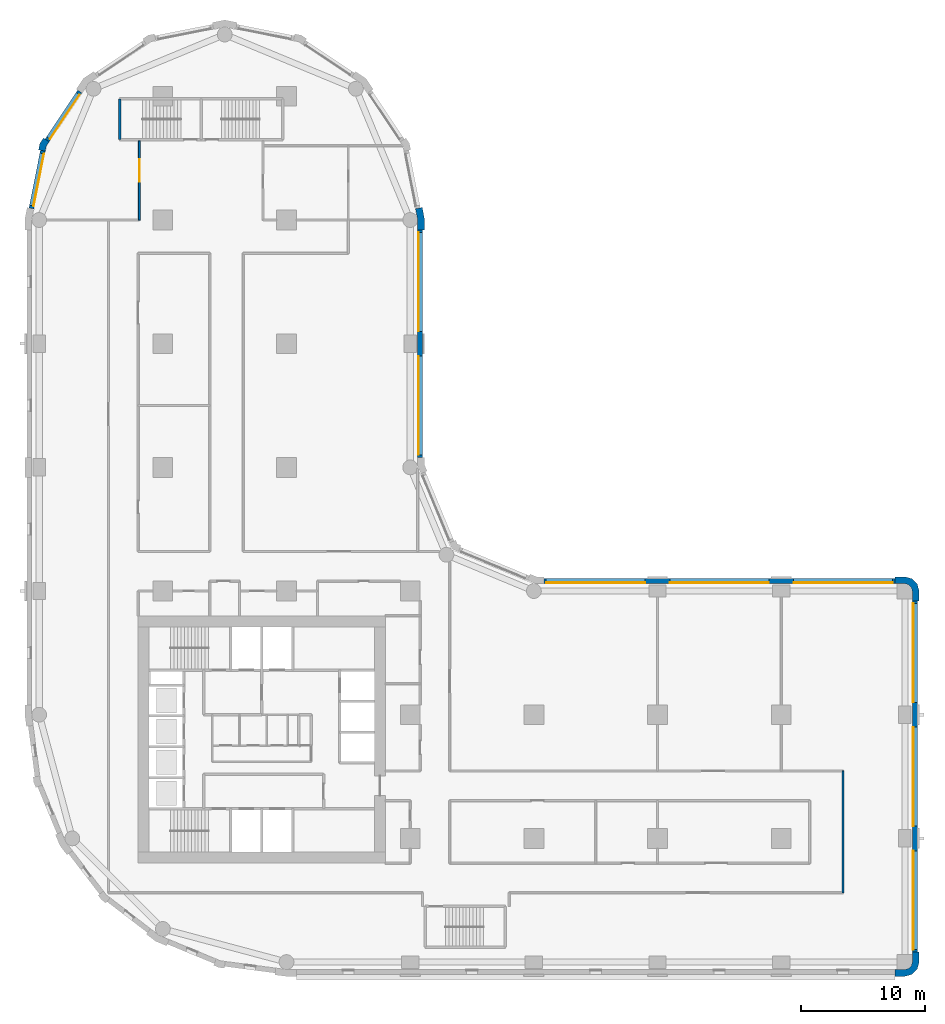
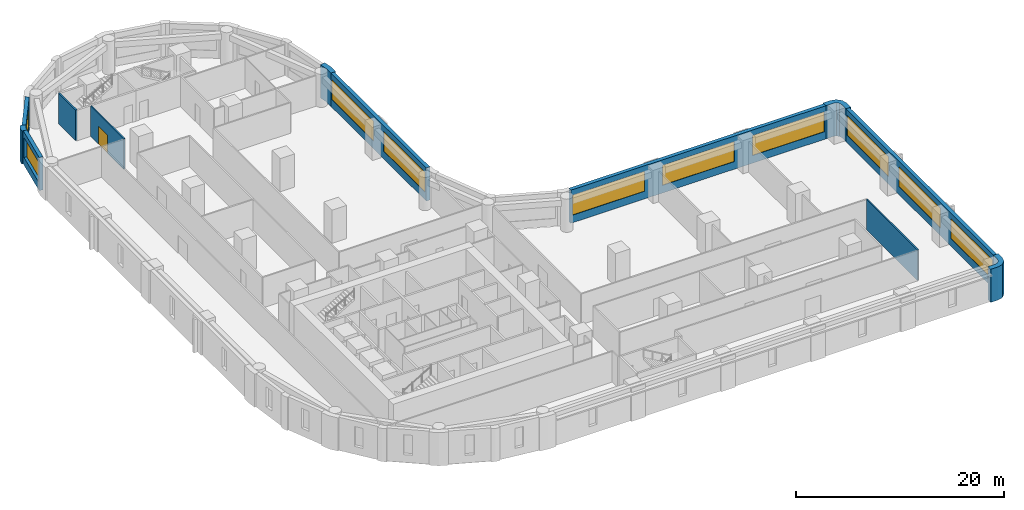
# One storey, part 6 of 10: 12 walls, 10 windows, 1 door, 11 openings.
"""IFC4 building model written with IfcOpenShell, lengths in metres."""

from ifc_helpers import new_model, si_unit, direction, frame, frame_2d, origin, place, context, subcontext, project, spatial, polyline, rectangle, outline, extrude, material, layer, layer_set, type_object, element, fill, save


model = new_model("IFC4")

# Units and contexts
model_context = context("Model", 3, precision=1e-05, world=origin(), true_north=direction((0.0, 1.0)))
body_context = subcontext(model_context, "Body", "Model", "MODEL_VIEW")
ifc_project = project(units=[si_unit("LENGTHUNIT", "METRE"), si_unit("AREAUNIT", "SQUARE_METRE"), si_unit("VOLUMEUNIT", "CUBIC_METRE"), si_unit("PLANEANGLEUNIT", "RADIAN"), si_unit("MASSUNIT", "GRAM", prefix="KILO")], contexts=[model_context])

# Site, building, storey
site_placement = place(None, origin())
site = spatial("IfcSite", under=ifc_project, at=site_placement, CompositionType="ELEMENT")
building_placement = place(site_placement, origin())
building = spatial("IfcBuilding", under=site, at=building_placement, Name="Qaws Garden Tower", CompositionType="ELEMENT")
storey_placement = place(building_placement, frame((0.0, 0.0, 35.39990234375)))
storey = spatial("IfcBuildingStorey", under=building, at=storey_placement, Name="L08", CompositionType="ELEMENT", Elevation=35.39990234375)

# Walls
ifc_material_1 = material(Name="Clay facing brick masonry", Category="masonry")
ifc_layer_1 = layer(ifc_material_1, 0.550048828125)
ifc_layer_set_1 = layer_set([ifc_layer_1], Name="Clay facing brick masonry")
wall_type_1 = type_object("IfcWallType", Name="Brick corner pier 550 x 2400", PredefinedType="SOLIDWALL", material=ifc_layer_set_1)
placement = place(storey_placement, origin())
element("IfcWall", 1, at=placement, inside=storey, type_object=wall_type_1, Name="E-L08-pier-05", PredefinedType="SOLIDWALL", context=body_context, shape_type="SweptSolid", body=[
    extrude(outline(polyline([(69.199951171875, -1.0), (69.199951171875, -1.14990234375), (70.0, -1.14990234375), (70.574951171875, -0.995849609375), (70.995849609375, -0.574951171875), (71.14990234375, 0.0), (71.14990234375, 0.800048828125), (71.0, 0.800048828125), (70.60009765625, 0.800048828125), (70.60009765625, 0.0), (70.51953125, -0.300048828125), (70.300048828125, -0.51953125), (70.0, -0.60009765625), (69.199951171875, -0.60009765625), (69.199951171875, -1.0)])), origin(), (0.0, 0.0, 1.0), 3.900146484375),
])
element("IfcWall", 2, at=placement, inside=storey, type_object=wall_type_1, Name="E-L08-pier-08", PredefinedType="SOLIDWALL", context=body_context, shape_type="SweptSolid", body=[
    extrude(outline(polyline([(71.0, 29.199951171875), (71.14990234375, 29.199951171875), (71.14990234375, 30.0), (70.995849609375, 30.574951171875), (70.574951171875, 30.995849609375), (70.0, 31.14990234375), (69.199951171875, 31.14990234375), (69.199951171875, 31.0), (69.199951171875, 30.60009765625), (70.0, 30.60009765625), (70.300048828125, 30.51953125), (70.51953125, 30.300048828125), (70.60009765625, 30.0), (70.60009765625, 29.199951171875), (71.0, 29.199951171875)])), origin(), (0.0, 0.0, 1.0), 3.900146484375),
])

# Wall, openings, windows
ifc_material_2 = material(Name="Clay facing brick masonry", Category="masonry")
ifc_layer_2 = layer(ifc_material_2, 0.39990234375)
ifc_layer_set_2 = layer_set([ifc_layer_2], Name="Clay facing brick masonry")
wall_type_2 = type_object("IfcWallType", Name="Brick infill wall 400", PredefinedType="SOLIDWALL", material=ifc_layer_set_2)
wall_3_placement = place(storey_placement, frame((70.800048828125, 0.800048828125, 0.0), z_axis=(0.0, 0.0, 1.0), x_axis=(0.0, 1.0, 0.0)))
wall_3 = element("IfcWall", 3, at=wall_3_placement, inside=storey, type_object=wall_type_2, Name="E-L08-infill-05", PredefinedType="SOLIDWALL", context=body_context, shape_type="SweptSolid", body=[
    extrude(rectangle(XDim=28.39990234375, YDim=0.39990234375, at=frame_2d((14.199951171875, 0.0))), origin(), (0.0, 0.0, 1.0), 3.900146484375),
])
opening_1_placement = place(wall_3_placement, frame((0.199951171875, 0.0, 0.89990234375)))
opening_1 = element("IfcOpeningElement", 4, at=opening_1_placement, cuts=wall_3, Name="Opening W01", PredefinedType="OPENING", context=body_context, shape_type="SweptSolid", body=[
    extrude(rectangle(XDim=8.0, YDim=2.35009765625, at=frame_2d((4.0, 1.175048828125))), frame((0.0, 0.2099609375, 0.0), z_axis=(0.0, -1.0, 0.0), x_axis=(1.0, 0.0, 0.0)), (0.0, 0.0, 1.0), 0.419921875),
])
opening_2_placement = place(wall_3_placement, frame((10.199951171875, 0.0, 0.89990234375)))
opening_2 = element("IfcOpeningElement", 5, at=opening_2_placement, cuts=wall_3, Name="Opening W01", PredefinedType="OPENING", context=body_context, shape_type="SweptSolid", body=[
    extrude(rectangle(XDim=8.0, YDim=2.35009765625, at=frame_2d((4.0, 1.175048828125))), frame((0.0, 0.2099609375, 0.0), z_axis=(0.0, -1.0, 0.0), x_axis=(1.0, 0.0, 0.0)), (0.0, 0.0, 1.0), 0.419921875),
])
opening_3_placement = place(wall_3_placement, frame((20.199951171875, 0.0, 0.89990234375)))
opening_3 = element("IfcOpeningElement", 6, at=opening_3_placement, cuts=wall_3, Name="Opening W01", PredefinedType="OPENING", context=body_context, shape_type="SweptSolid", body=[
    extrude(rectangle(XDim=8.0, YDim=2.35009765625, at=frame_2d((4.0, 1.175048828125))), frame((0.0, 0.2099609375, 0.0), z_axis=(0.0, -1.0, 0.0), x_axis=(1.0, 0.0, 0.0)), (0.0, 0.0, 1.0), 0.419921875),
])
ifc_material_3 = material(Name="Aluminium framed window, clear glazing", Category="aluminium")
window_type_1 = type_object("IfcWindowType", Name="Ribbon window 8000 x 2350", PartitioningType="DOUBLE_PANEL_VERTICAL", PredefinedType="WINDOW", material=ifc_material_3)
window_1_placement = place(opening_1_placement, origin())
window_1 = element("IfcWindow", 7, at=window_1_placement, inside=storey, type_object=window_type_1, Name="E-L08-window-05-0", OverallHeight=2.35009765625, OverallWidth=8.0, PartitioningType="SINGLE_PANEL", PredefinedType="WINDOW", context=body_context, shape_type="SweptSolid", body=[
    extrude(rectangle(XDim=8.0, YDim=2.35009765625, at=frame_2d((4.0, 1.175048828125))), frame((0.0, 0.159912109375, 0.0), z_axis=(0.0, -1.0, 0.0), x_axis=(1.0, 0.0, 0.0)), (0.0, 0.0, 1.0), 0.06005859375),
])
fill(opening_1, window_1)
window_2_placement = place(opening_2_placement, origin())
window_2 = element("IfcWindow", 8, at=window_2_placement, inside=storey, type_object=window_type_1, Name="E-L08-window-06-0", OverallHeight=2.35009765625, OverallWidth=8.0, PartitioningType="SINGLE_PANEL", PredefinedType="WINDOW", context=body_context, shape_type="SweptSolid", body=[
    extrude(rectangle(XDim=8.0, YDim=2.35009765625, at=frame_2d((4.0, 1.175048828125))), frame((0.0, 0.159912109375, 0.0), z_axis=(0.0, -1.0, 0.0), x_axis=(1.0, 0.0, 0.0)), (0.0, 0.0, 1.0), 0.06005859375),
])
fill(opening_2, window_2)
window_3_placement = place(opening_3_placement, origin())
window_3 = element("IfcWindow", 9, at=window_3_placement, inside=storey, type_object=window_type_1, Name="E-L08-window-07-0", OverallHeight=2.35009765625, OverallWidth=8.0, PartitioningType="SINGLE_PANEL", PredefinedType="WINDOW", context=body_context, shape_type="SweptSolid", body=[
    extrude(rectangle(XDim=8.0, YDim=2.35009765625, at=frame_2d((4.0, 1.175048828125))), frame((0.0, 0.159912109375, 0.0), z_axis=(0.0, -1.0, 0.0), x_axis=(1.0, 0.0, 0.0)), (0.0, 0.0, 1.0), 0.06005859375),
])
fill(opening_3, window_3)

wall_4_placement = place(storey_placement, frame((69.199951171875, 30.800048828125, 0.0), z_axis=(0.0, 0.0, 1.0), x_axis=(-1.0, 0.0, 0.0)))
wall_4 = element("IfcWall", 10, at=wall_4_placement, inside=storey, type_object=wall_type_2, Name="E-L08-infill-08", PredefinedType="SOLIDWALL", context=body_context, shape_type="SweptSolid", body=[
    extrude(rectangle(XDim=28.39990234375, YDim=0.39990234375, at=frame_2d((14.199951171875, 0.0))), origin(), (0.0, 0.0, 1.0), 3.900146484375),
])
opening_4_placement = place(wall_4_placement, frame((0.199951171875, 0.0, 0.89990234375)))
opening_4 = element("IfcOpeningElement", 11, at=opening_4_placement, cuts=wall_4, Name="Opening W01", PredefinedType="OPENING", context=body_context, shape_type="SweptSolid", body=[
    extrude(rectangle(XDim=8.0, YDim=2.35009765625, at=frame_2d((4.0, 1.175048828125))), frame((0.0, 0.2099609375, 0.0), z_axis=(0.0, -1.0, 0.0), x_axis=(1.0, 0.0, 0.0)), (0.0, 0.0, 1.0), 0.419921875),
])
opening_5_placement = place(wall_4_placement, frame((10.199951171875, 0.0, 0.89990234375)))
opening_5 = element("IfcOpeningElement", 12, at=opening_5_placement, cuts=wall_4, Name="Opening W01", PredefinedType="OPENING", context=body_context, shape_type="SweptSolid", body=[
    extrude(rectangle(XDim=8.0, YDim=2.35009765625, at=frame_2d((4.0, 1.175048828125))), frame((0.0, 0.2099609375, 0.0), z_axis=(0.0, -1.0, 0.0), x_axis=(1.0, 0.0, 0.0)), (0.0, 0.0, 1.0), 0.419921875),
])
opening_6_placement = place(wall_4_placement, frame((20.199951171875, 0.0, 0.89990234375)))
opening_6 = element("IfcOpeningElement", 13, at=opening_6_placement, cuts=wall_4, Name="Opening W01", PredefinedType="OPENING", context=body_context, shape_type="SweptSolid", body=[
    extrude(rectangle(XDim=8.0, YDim=2.35009765625, at=frame_2d((4.0, 1.175048828125))), frame((0.0, 0.2099609375, 0.0), z_axis=(0.0, -1.0, 0.0), x_axis=(1.0, 0.0, 0.0)), (0.0, 0.0, 1.0), 0.419921875),
])
window_4_placement = place(opening_4_placement, origin())
window_4 = element("IfcWindow", 14, at=window_4_placement, inside=storey, type_object=window_type_1, Name="E-L08-window-08-0", OverallHeight=2.35009765625, OverallWidth=8.0, PartitioningType="SINGLE_PANEL", PredefinedType="WINDOW", context=body_context, shape_type="SweptSolid", body=[
    extrude(rectangle(XDim=8.0, YDim=2.35009765625, at=frame_2d((4.0, 1.175048828125))), frame((0.0, 0.159912109375, 0.0), z_axis=(0.0, -1.0, 0.0), x_axis=(1.0, 0.0, 0.0)), (0.0, 0.0, 1.0), 0.06005859375),
])
fill(opening_4, window_4)
window_5_placement = place(opening_5_placement, origin())
window_5 = element("IfcWindow", 15, at=window_5_placement, inside=storey, type_object=window_type_1, Name="E-L08-window-09-0", OverallHeight=2.35009765625, OverallWidth=8.0, PartitioningType="SINGLE_PANEL", PredefinedType="WINDOW", context=body_context, shape_type="SweptSolid", body=[
    extrude(rectangle(XDim=8.0, YDim=2.35009765625, at=frame_2d((4.0, 1.175048828125))), frame((0.0, 0.159912109375, 0.0), z_axis=(0.0, -1.0, 0.0), x_axis=(1.0, 0.0, 0.0)), (0.0, 0.0, 1.0), 0.06005859375),
])
fill(opening_5, window_5)
window_6_placement = place(opening_6_placement, origin())
window_6 = element("IfcWindow", 16, at=window_6_placement, inside=storey, type_object=window_type_1, Name="E-L08-window-10-0", OverallHeight=2.35009765625, OverallWidth=8.0, PartitioningType="SINGLE_PANEL", PredefinedType="WINDOW", context=body_context, shape_type="SweptSolid", body=[
    extrude(rectangle(XDim=8.0, YDim=2.35009765625, at=frame_2d((4.0, 1.175048828125))), frame((0.0, 0.159912109375, 0.0), z_axis=(0.0, -1.0, 0.0), x_axis=(1.0, 0.0, 0.0)), (0.0, 0.0, 1.0), 0.06005859375),
])
fill(opening_6, window_6)

wall_5_placement = place(storey_placement, frame((30.800048828125, 40.800048828125, 0.0), z_axis=(0.0, 0.0, 1.0), x_axis=(0.0, 1.0, 0.0)))
wall_5 = element("IfcWall", 17, at=wall_5_placement, inside=storey, type_object=wall_type_2, Name="E-L08-infill-13", PredefinedType="SOLIDWALL", context=body_context, shape_type="SweptSolid", body=[
    extrude(rectangle(XDim=18.39990234375, YDim=0.39990234375, at=frame_2d((9.199951171875, 0.0))), origin(), (0.0, 0.0, 1.0), 3.900146484375),
])
opening_7_placement = place(wall_5_placement, frame((0.199951171875, 0.0, 0.89990234375)))
opening_7 = element("IfcOpeningElement", 18, at=opening_7_placement, cuts=wall_5, Name="Opening W01", PredefinedType="OPENING", context=body_context, shape_type="SweptSolid", body=[
    extrude(rectangle(XDim=8.0, YDim=2.35009765625, at=frame_2d((4.0, 1.175048828125))), frame((0.0, 0.2099609375, 0.0), z_axis=(0.0, -1.0, 0.0), x_axis=(1.0, 0.0, 0.0)), (0.0, 0.0, 1.0), 0.419921875),
])
opening_8_placement = place(wall_5_placement, frame((10.199951171875, 0.0, 0.89990234375)))
opening_8 = element("IfcOpeningElement", 19, at=opening_8_placement, cuts=wall_5, Name="Opening W01", PredefinedType="OPENING", context=body_context, shape_type="SweptSolid", body=[
    extrude(rectangle(XDim=8.0, YDim=2.35009765625, at=frame_2d((4.0, 1.175048828125))), frame((0.0, 0.2099609375, 0.0), z_axis=(0.0, -1.0, 0.0), x_axis=(1.0, 0.0, 0.0)), (0.0, 0.0, 1.0), 0.419921875),
])
window_7_placement = place(opening_7_placement, origin())
window_7 = element("IfcWindow", 20, at=window_7_placement, inside=storey, type_object=window_type_1, Name="E-L08-window-13-0", OverallHeight=2.35009765625, OverallWidth=8.0, PartitioningType="SINGLE_PANEL", PredefinedType="WINDOW", context=body_context, shape_type="SweptSolid", body=[
    extrude(rectangle(XDim=8.0, YDim=2.35009765625, at=frame_2d((4.0, 1.175048828125))), frame((0.0, 0.159912109375, 0.0), z_axis=(0.0, -1.0, 0.0), x_axis=(1.0, 0.0, 0.0)), (0.0, 0.0, 1.0), 0.06005859375),
])
fill(opening_7, window_7)
window_8_placement = place(opening_8_placement, origin())
window_8 = element("IfcWindow", 21, at=window_8_placement, inside=storey, type_object=window_type_1, Name="E-L08-window-14-0", OverallHeight=2.35009765625, OverallWidth=8.0, PartitioningType="SINGLE_PANEL", PredefinedType="WINDOW", context=body_context, shape_type="SweptSolid", body=[
    extrude(rectangle(XDim=8.0, YDim=2.35009765625, at=frame_2d((4.0, 1.175048828125))), frame((0.0, 0.159912109375, 0.0), z_axis=(0.0, -1.0, 0.0), x_axis=(1.0, 0.0, 0.0)), (0.0, 0.0, 1.0), 0.06005859375),
])
fill(opening_8, window_8)

# Wall, opening, window
wall_6_placement = place(storey_placement, frame((3.28369140625, 70.385986328125, 0.0), z_axis=(0.0, 0.0, 1.0), x_axis=(-0.555541552266, -0.831488775454, 0.0)))
wall_6 = element("IfcWall", 22, at=wall_6_placement, inside=storey, type_object=wall_type_2, Name="E-L08-infill-21", PredefinedType="SOLIDWALL", context=body_context, shape_type="SweptSolid", body=[
    extrude(rectangle(XDim=4.752685546875, YDim=0.39990234375, at=frame_2d((2.37646484375, 0.0))), origin(), (0.0, 0.0, 1.0), 3.900146484375),
])
opening_9_placement = place(wall_6_placement, frame((0.226318359375, 0.0, 0.89990234375)))
opening_9 = element("IfcOpeningElement", 23, at=opening_9_placement, cuts=wall_6, Name="Opening W06", PredefinedType="OPENING", context=body_context, shape_type="SweptSolid", body=[
    extrude(rectangle(XDim=4.300048828125, YDim=2.35009765625, at=frame_2d((2.14990234375, 1.175048828125))), frame((0.0, 0.2099609375, 0.0), z_axis=(0.0, -1.0, 0.0), x_axis=(1.0, 0.0, 0.0)), (0.0, 0.0, 1.0), 0.419921875),
])
ifc_material_4 = material(Name="Aluminium framed window, clear glazing", Category="aluminium")
window_type_2 = type_object("IfcWindowType", Name="Ribbon window 4300 x 2350", PartitioningType="DOUBLE_PANEL_VERTICAL", PredefinedType="WINDOW", material=ifc_material_4)
window_9_placement = place(opening_9_placement, origin())
window_9 = element("IfcWindow", 24, at=window_9_placement, inside=storey, type_object=window_type_2, Name="E-L08-window-21-0", OverallHeight=2.35009765625, OverallWidth=4.300048828125, PartitioningType="SINGLE_PANEL", PredefinedType="WINDOW", context=body_context, shape_type="SweptSolid", body=[
    extrude(rectangle(XDim=4.300048828125, YDim=2.35009765625, at=frame_2d((2.14990234375, 1.175048828125))), frame((0.0, 0.159912109375, 0.0), z_axis=(0.0, -1.0, 0.0), x_axis=(1.0, 0.0, 0.0)), (0.0, 0.0, 1.0), 0.06005859375),
])
fill(opening_9, window_9)

wall_7_placement = place(storey_placement, frame((0.298583984375, 65.60205078125, 0.0), z_axis=(0.0, 0.0, 1.0), x_axis=(-0.195098533057, -0.98078364709, 0.0)))
wall_7 = element("IfcWall", 25, at=wall_7_placement, inside=storey, type_object=wall_type_2, Name="E-L08-infill-22", PredefinedType="SOLIDWALL", context=body_context, shape_type="SweptSolid", body=[
    extrude(rectangle(XDim=4.752685546875, YDim=0.39990234375, at=frame_2d((2.37646484375, 0.0))), origin(), (0.0, 0.0, 1.0), 3.900146484375),
])
opening_10_placement = place(wall_7_placement, frame((0.226318359375, 0.0, 0.89990234375)))
opening_10 = element("IfcOpeningElement", 26, at=opening_10_placement, cuts=wall_7, Name="Opening W06", PredefinedType="OPENING", context=body_context, shape_type="SweptSolid", body=[
    extrude(rectangle(XDim=4.300048828125, YDim=2.35009765625, at=frame_2d((2.14990234375, 1.175048828125))), frame((0.0, 0.2099609375, 0.0), z_axis=(0.0, -1.0, 0.0), x_axis=(1.0, 0.0, 0.0)), (0.0, 0.0, 1.0), 0.419921875),
])
window_10_placement = place(opening_10_placement, origin())
window_10 = element("IfcWindow", 27, at=window_10_placement, inside=storey, type_object=window_type_2, Name="E-L08-window-22-0", OverallHeight=2.35009765625, OverallWidth=4.300048828125, PartitioningType="SINGLE_PANEL", PredefinedType="WINDOW", context=body_context, shape_type="SweptSolid", body=[
    extrude(rectangle(XDim=4.300048828125, YDim=2.35009765625, at=frame_2d((2.14990234375, 1.175048828125))), frame((0.0, 0.159912109375, 0.0), z_axis=(0.0, -1.0, 0.0), x_axis=(1.0, 0.0, 0.0)), (0.0, 0.0, 1.0), 0.06005859375),
])
fill(opening_10, window_10)

# Walls
ifc_material_5 = material(Name="Clay facing brick masonry", Category="masonry")
ifc_layer_3 = layer(ifc_material_5, 0.550048828125)
ifc_layer_set_3 = layer_set([ifc_layer_3], Name="Clay facing brick masonry")
wall_type_3 = type_object("IfcWallType", Name="Brick kink pier 550 x 600", PredefinedType="SOLIDWALL", material=ifc_layer_set_3)
element("IfcWall", 28, at=placement, inside=storey, type_object=wall_type_3, Name="E-L08-pier-22", PredefinedType="SOLIDWALL", context=body_context, shape_type="SweptSolid", body=[
    extrude(outline(polyline([(0.47705078125, 66.545166015625), (0.352294921875, 66.628662109375), (0.05859375, 66.18896484375), (-0.044677734375, 65.67041015625), (0.1025390625, 65.64111328125), (0.494873046875, 65.56298828125), (0.57666015625, 65.974365234375), (0.8095703125, 66.322998046875), (0.47705078125, 66.545166015625)])), origin(), (0.0, 0.0, 1.0), 3.900146484375),
])
ifc_material_6 = material(Name="Clay facing brick masonry", Category="masonry")
ifc_layer_4 = layer(ifc_material_6, 0.550048828125)
ifc_layer_set_4 = layer_set([ifc_layer_4], Name="Clay facing brick masonry")
wall_type_4 = type_object("IfcWallType", Name="Brick pier 550 x 1600", PredefinedType="SOLIDWALL", material=ifc_layer_set_4)
element("IfcWall", 29, at=placement, inside=storey, type_object=wall_type_4, Name="E-L08-pier-15", PredefinedType="SOLIDWALL", context=body_context, shape_type="SweptSolid", body=[
    extrude(outline(polyline([(31.0, 59.199951171875), (31.14990234375, 59.199951171875), (31.14990234375, 60.11328125), (30.971923828125, 61.009033203125), (30.82470703125, 60.979736328125), (30.432373046875, 60.901611328125), (30.60009765625, 60.05908203125), (30.60009765625, 59.199951171875), (31.0, 59.199951171875)])), origin(), (0.0, 0.0, 1.0), 3.900146484375),
])
ifc_material_7 = material(Name="Concrete C80", Category="concrete")
ifc_layer_5 = layer(ifc_material_7, 0.199951171875)
ifc_layer_set_5 = layer_set([ifc_layer_5], Name="Concrete C80")
wall_type_5 = type_object("IfcWallType", Name="Core shaft wall 200 C80", PredefinedType="SHEAR", material=ifc_layer_set_5)
wall_10_placement = place(storey_placement, frame((6.5, 66.5, 0.0), z_axis=(0.0, 0.0, 1.0), x_axis=(0.0, 1.0, 0.0)))
element("IfcWall", 30, at=wall_10_placement, inside=storey, type_object=wall_type_5, Name="Shaft wall", PredefinedType="SHEAR", context=body_context, shape_type="SweptSolid", body=[
    extrude(rectangle(XDim=3.300048828125, YDim=0.199951171875, at=frame_2d((1.64990234375, 0.0))), origin(), (0.0, 0.0, 1.0), 3.580078125),
])

# Wall, opening, door
ifc_material_8 = material(Name="Gypsum board partition")
ifc_layer_6 = layer(ifc_material_8, 0.14990234375)
ifc_layer_set_6 = layer_set([ifc_layer_6], Name="Gypsum board partition")
wall_type_6 = type_object("IfcWallType", Name="PARTITION 150 EI 60", PredefinedType="PARTITIONING", material=ifc_layer_set_6)
wall_11_placement = place(storey_placement, frame((8.10009765625, 60.0, 0.0), z_axis=(0.0, 0.0, 1.0), x_axis=(0.0, 1.0, 0.0)))
wall_11 = element("IfcWall", 31, at=wall_11_placement, inside=storey, type_object=wall_type_6, Name="O-L08-wall-005", PredefinedType="PARTITIONING", context=body_context, shape_type="SweptSolid", body=[
    extrude(rectangle(XDim=6.39990234375, YDim=0.14990234375, at=frame_2d((3.199951171875, 0.0))), origin(), (0.0, 0.0, 1.0), 3.580078125),
])
opening_11_placement = place(wall_11_placement, frame((3.10009765625, 0.0, 0.0)))
opening_11 = element("IfcOpeningElement", 32, at=opening_11_placement, cuts=wall_11, Name="Opening A309", PredefinedType="OPENING", context=body_context, shape_type="SweptSolid", body=[
    extrude(rectangle(XDim=1.800048828125, YDim=2.10009765625, at=frame_2d((0.89990234375, 1.050048828125))), frame((0.0, 0.0849609375, 0.0), z_axis=(0.0, -1.0, 0.0), x_axis=(1.0, 0.0, 0.0)), (0.0, 0.0, 1.0), 0.169921875),
])
ifc_material_9 = material(Name="Timber door leaf", Category="wood")
door_type = type_object("IfcDoorType", Name="DOUBLE DOOR 1800 X 2100", OperationType="DOUBLE_DOOR_SINGLE_SWING", PredefinedType="DOOR", material=ifc_material_9)
door_placement = place(opening_11_placement, origin())
door = element("IfcDoor", 33, at=door_placement, inside=storey, type_object=door_type, Name="O-L08-door-009", OperationType="DOUBLE_DOOR_SINGLE_SWING", OverallHeight=2.10009765625, OverallWidth=1.800048828125, PredefinedType="DOOR", context=body_context, shape_type="SweptSolid", body=[
    extrude(rectangle(XDim=1.800048828125, YDim=2.10009765625, at=frame_2d((0.89990234375, 1.050048828125))), frame((0.0, 0.02490234375, 0.0), z_axis=(0.0, -1.0, 0.0), x_axis=(1.0, 0.0, 0.0)), (0.0, 0.0, 1.0), 0.050048828125),
])
fill(opening_11, door)

# Wall
wall_12_placement = place(storey_placement, frame((65.0, 5.60009765625, 0.0), z_axis=(0.0, 0.0, 1.0), x_axis=(0.0, 1.0, 0.0)))
element("IfcWall", 34, at=wall_12_placement, inside=storey, type_object=wall_type_6, Name="O-L08-wall-030", PredefinedType="PARTITIONING", context=body_context, shape_type="SweptSolid", body=[
    extrude(rectangle(XDim=9.849853515625, YDim=0.14990234375, at=frame_2d((4.9248046875, 0.0))), origin(), (0.0, 0.0, 1.0), 3.580078125),
])

save(model, "model.ifc")
